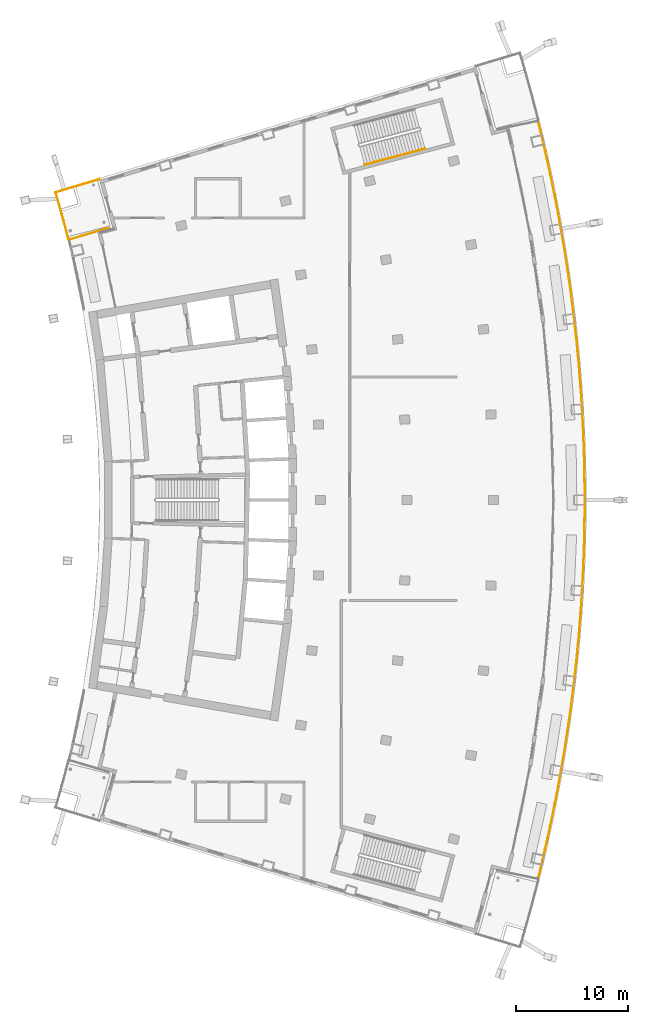
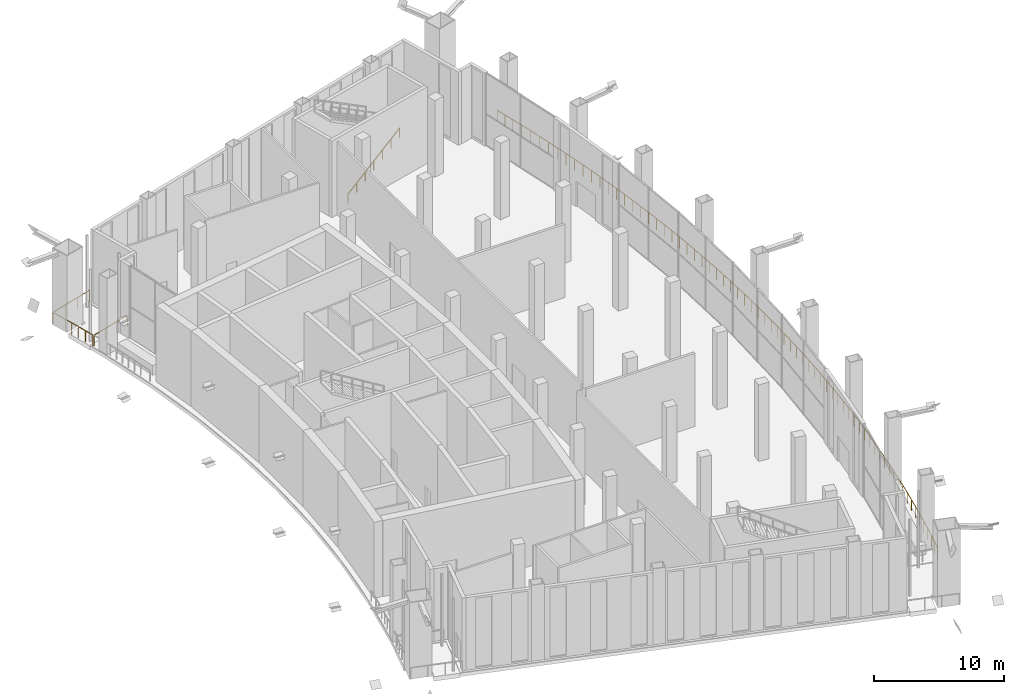
# One storey, part 24 of 26: 4 railings.
"""IFC4 building model written with IfcOpenShell, lengths in metres."""

import ifcopenshell
import ifcopenshell.guid

model = None  # the IFC model being written
_history = None  # IfcOwnerHistory: only IFC2X3 demands one
_inside = {}  # id of a spatial element -> (the spatial element, [elements in it])
_under = {}  # id of a project, library or spatial element -> (it, [spatial elements below it])
_declared = {}  # id of a project -> (the project, [libraries it declares])
_typed = {}  # id of a type object -> (the type object, [elements of that type])
_made_of = {}  # id of a material, layer set ... -> (it, [elements and type objects made of it])


def new_model(schema):
    """Start an empty IFC model of exactly this schema.

    Asked for "IFC4X3", IfcOpenShell would pick the latest addendum, in which some entities
    have other attributes; the version numbers below select the first issue.
    IFC2X3 requires an IfcOwnerHistory on every rooted entity: one is made here for all.
    """
    global model, _history
    if schema == "IFC4X3":
        model = ifcopenshell.file(schema_version=(4, 3, 0, 0))
    else:
        model = ifcopenshell.file(schema=schema)
    _inside.clear()
    _under.clear()
    _declared.clear()
    _typed.clear()
    _made_of.clear()
    _history = None
    if model.schema == "IFC2X3":
        org = make("IfcOrganization", Name="unknown")
        user = make(
            "IfcPersonAndOrganization",
            ThePerson=make("IfcPerson", FamilyName="unknown"),
            TheOrganization=org,
        )
        app = make(
            "IfcApplication",
            ApplicationDeveloper=org,
            Version="unknown",
            ApplicationFullName="unknown",
            ApplicationIdentifier="unknown",
        )
        _history = make(
            "IfcOwnerHistory",
            OwningUser=user,
            OwningApplication=app,
            ChangeAction="ADDED",
            CreationDate=0,
        )
    return model


def make(cls, **values):
    """One entity of the class cls with the attributes given. An attribute that is None is left unset."""
    return model.create_entity(
        cls, **{name: value for name, value in values.items() if value is not None}
    )


def rooted(cls, **values):
    """An entity with a GlobalId (a new one), such as an element, a storey or a relation."""
    return make(cls, GlobalId=ifcopenshell.guid.new(), OwnerHistory=_history, **values)


def si_unit(unit_type, name, prefix=None):
    """IfcSIUnit, for example si_unit("LENGTHUNIT", "METRE", prefix="MILLI")."""
    return make("IfcSIUnit", UnitType=unit_type, Prefix=prefix, Name=name)


def assignment(units):
    """IfcUnitAssignment: the units of a project."""
    return None if units is None else make("IfcUnitAssignment", Units=units)


def point(xyz):
    """IfcCartesianPoint."""
    return None if xyz is None else make("IfcCartesianPoint", Coordinates=xyz)


def direction(xyz):
    """IfcDirection."""
    return None if xyz is None else make("IfcDirection", DirectionRatios=xyz)


def frame(location, z_axis=None, x_axis=None):
    """IfcAxis2Placement3D, a coordinate frame: its origin and axes. An axis left out is left unset."""
    return make(
        "IfcAxis2Placement3D",
        Location=point(location),
        Axis=direction(z_axis),
        RefDirection=direction(x_axis),
    )


def frame_2d(location, x_axis=None):
    """IfcAxis2Placement2D, a coordinate frame in the plane: its origin and x axis."""
    return make(
        "IfcAxis2Placement2D", Location=point(location), RefDirection=direction(x_axis)
    )


def origin():
    """The frame at (0, 0, 0) with its axes left unset."""
    return frame((0.0, 0.0, 0.0))


def origin_2d():
    """The frame at (0, 0) in the plane with its x axis left unset."""
    return frame_2d((0.0, 0.0))


def place(relative_to, where):
    """IfcLocalPlacement: puts the frame where relative to a parent placement (None: the world)."""
    return make(
        "IfcLocalPlacement", PlacementRelTo=relative_to, RelativePlacement=where
    )


def context(
    kind, dimensions, precision=None, world=None, true_north=None, identifier=None
):
    """IfcGeometricRepresentationContext, for example the 3D "Model" context."""
    return make(
        "IfcGeometricRepresentationContext",
        ContextIdentifier=identifier,
        ContextType=kind,
        CoordinateSpaceDimension=dimensions,
        Precision=precision,
        WorldCoordinateSystem=world,
        TrueNorth=true_north,
    )


def subcontext(parent, identifier, kind, view, scale=None):
    """IfcGeometricRepresentationSubContext, for example "Body" below "Model"."""
    return make(
        "IfcGeometricRepresentationSubContext",
        ContextIdentifier=identifier,
        ContextType=kind,
        ParentContext=parent,
        TargetScale=scale,
        TargetView=view,
    )


def project(units=None, contexts=None):
    """IfcProject with its units and contexts."""
    return rooted(
        "IfcProject",
        Name="project",
        RepresentationContexts=contexts,
        UnitsInContext=assignment(units),
    )


def spatial(cls, under=None, at=None, **own):
    """A site, building, storey or space (cls), placed at a placement, below another one or the project."""
    s = rooted(cls, ObjectPlacement=at, **own)
    if under is not None:
        _under.setdefault(under.id(), (under, []))[1].append(s)
    return s


def profile(cls, at=None, kind="AREA", **sizes):
    """A parametric profile (cls). Its sizes go by their IFC names, for example OverallWidth=200.0."""
    return make(cls, ProfileType=kind, Position=at, **sizes)


def rectangle(**sizes):
    """IfcRectangleProfileDef."""
    return profile("IfcRectangleProfileDef", **sizes)


def extrude(swept, where, along, depth):
    """IfcExtrudedAreaSolid: the profile swept, set in the frame where, extruded along a direction by depth."""
    return make(
        "IfcExtrudedAreaSolid",
        SweptArea=swept,
        Position=where,
        ExtrudedDirection=direction(along),
        Depth=depth,
    )


def shape(context_of_items, identifier, shape_type, items):
    """IfcShapeRepresentation: the items that make up one representation, for example the "Body"."""
    return make(
        "IfcShapeRepresentation",
        ContextOfItems=context_of_items,
        RepresentationIdentifier=identifier,
        RepresentationType=shape_type,
        Items=items,
    )


def material(Name=None, Category=None):
    """IfcMaterial."""
    return make("IfcMaterial", Name=Name, Category=Category)


def made_of(thing, what):
    """Note that an element or type object is made of a material, layer set ...; save() writes the relation."""
    if what is not None:
        _made_of.setdefault(what.id(), (what, []))[1].append(thing)
    return thing


def type_object(cls, material=None, **own):
    """A type object (cls), such as IfcWallType, which elements share."""
    return made_of(rooted(cls, **own), material)


def element(
    cls,
    number,
    at=None,
    inside=None,
    cuts=None,
    type_object=None,
    material=None,
    context=None,
    identifier="Body",
    shape_type=None,
    held_by="IfcProductDefinitionShape",
    body=None,
    shapes=None,
    **own,
):
    """One element of the class cls, such as IfcWall. Its Tag is "e" and its number.

    at: its placement. inside: the storey or other place that contains it. cuts: it is an
    opening in that element (IfcRelVoidsElement). A single representation is given by context,
    identifier, shape_type and body (its items); several are given by shapes. held_by: the class
    of the entity that holds the representations. save() writes the other relations.
    """
    e = rooted(cls, Tag="e%d" % number, ObjectPlacement=at, **own)
    if body is not None:
        shapes = [shape(context, identifier, shape_type, body)]
    if shapes is not None:
        e.Representation = make(held_by, Representations=shapes)
    if inside is not None:
        _inside.setdefault(inside.id(), (inside, []))[1].append(e)
    if cuts is not None:
        rooted(
            "IfcRelVoidsElement", RelatingBuildingElement=cuts, RelatedOpeningElement=e
        )
    if type_object is not None:
        _typed.setdefault(type_object.id(), (type_object, []))[1].append(e)
    return made_of(e, material)


def aggregate(whole, parts):
    """IfcRelAggregates: a whole, such as a stair, and the parts it consists of."""
    return rooted("IfcRelAggregates", RelatingObject=whole, RelatedObjects=parts)


def save(model, path):
    """Write the relations noted so far, then the file.

    IfcRelAggregates (storeys below a building ...), IfcRelContainedInSpatialStructure (elements
    in a storey), IfcRelDefinesByType, IfcRelAssociatesMaterial and IfcRelDeclares: one each for
    every whole, place, type object, material and project.
    """
    for whole, parts in _under.values():
        aggregate(whole, parts)
    for where, things in _inside.values():
        rooted(
            "IfcRelContainedInSpatialStructure",
            RelatedElements=things,
            RelatingStructure=where,
        )
    for kind, things in _typed.values():
        rooted("IfcRelDefinesByType", RelatedObjects=things, RelatingType=kind)
    for what, things in _made_of.values():
        rooted("IfcRelAssociatesMaterial", RelatedObjects=things, RelatingMaterial=what)
    for by, libraries in _declared.values():
        rooted("IfcRelDeclares", RelatingContext=by, RelatedDefinitions=libraries)
    model.write(path)


model = new_model("IFC4")

# Units and contexts
model_context = context("Model", 3, precision=1e-05, world=origin(), true_north=direction((0.0, 1.0)))
body_context = subcontext(model_context, "Body", "Model", "MODEL_VIEW")
ifc_project = project(units=[si_unit("LENGTHUNIT", "METRE"), si_unit("AREAUNIT", "SQUARE_METRE"), si_unit("VOLUMEUNIT", "CUBIC_METRE"), si_unit("PLANEANGLEUNIT", "RADIAN"), si_unit("MASSUNIT", "GRAM", prefix="KILO")], contexts=[model_context])

# Site, building, storey
site_placement = place(None, origin())
site = spatial("IfcSite", under=ifc_project, at=site_placement, CompositionType="ELEMENT")
building_placement = place(site_placement, origin())
building = spatial("IfcBuilding", under=site, at=building_placement, Name="Alderwake Tower", CompositionType="ELEMENT")
storey_placement = place(building_placement, frame((0.0, 0.0, 182.0)))
storey = spatial("IfcBuildingStorey", under=building, at=storey_placement, Name="L45", CompositionType="ELEMENT", Elevation=182.0)

# Railings
ifc_material_1 = material(Name="Stainless steel 316 rail and posts", Category="steel")
railing_type_1 = type_object("IfcRailingType", Name="Balcony guard 1100", PredefinedType="GUARDRAIL", material=ifc_material_1)
railing_1_placement = place(storey_placement, frame((13.210693359375, 84.387451171875, 0.0)))
element("IfcRailing", 1, at=railing_1_placement, inside=storey, type_object=railing_type_1, Name="Guard terrace RN", PredefinedType="GUARDRAIL", context=body_context, shape_type="SweptSolid", body=[
    extrude(rectangle(XDim=0.048095703125, YDim=0.048095703125, at=origin_2d()), frame((0.0, 0.0, 1.076171875), z_axis=(-0.251385381433, 0.967887075026, 0.0), x_axis=(-0.967887075026, -0.251385381433, 0.0)), (0.0, 0.0, 1.0), 1.6015625),
    extrude(rectangle(XDim=0.048095703125, YDim=0.048095703125, at=origin_2d()), frame((-0.402587890625, 1.550048828125, 1.076171875), z_axis=(-0.266520638672, 0.963829211615, 0.0), x_axis=(-0.963829211615, -0.266520638672, 0.0)), (0.0, 0.0, 1.0), 1.401611328125),
    extrude(rectangle(XDim=0.048095703125, YDim=0.048095703125, at=origin_2d()), frame((-0.776123046875, 2.90087890625, 1.076171875), z_axis=(-0.280093650878, 0.959972680204, 0.0), x_axis=(-0.959972680204, -0.280093650878, 0.0)), (0.0, 0.0, 1.0), 1.30126953125),
    extrude(rectangle(XDim=0.048095703125, YDim=0.048095703125, at=origin_2d()), frame((-1.140625, 4.150146484375, 1.076171875), z_axis=(0.958066871889, 0.286544706789, 0.0), x_axis=(-0.286544706789, 0.958066871889, 0.0)), (0.0, 0.0, 1.0), 4.099853515625),
    extrude(rectangle(XDim=0.0419921875, YDim=0.0419921875, at=origin_2d()), frame((0.0, 0.0, 0.0), z_axis=(0.0, 0.0, 1.0), x_axis=(-0.251385381433, 0.967887075026, 0.0)), (0.0, 0.0, 1.0), 1.052001953125),
    extrude(rectangle(XDim=0.0419921875, YDim=0.0419921875, at=origin_2d()), frame((-0.201171875, 0.77490234375, 0.0), z_axis=(0.0, 0.0, 1.0), x_axis=(-0.251385381433, 0.967887075026, 0.0)), (0.0, 0.0, 1.0), 1.052001953125),
    extrude(rectangle(XDim=0.0419921875, YDim=0.0419921875, at=origin_2d()), frame((-0.402587890625, 1.550048828125, 0.0), z_axis=(0.0, 0.0, 1.0), x_axis=(-0.266520638672, 0.963829211615, 0.0)), (0.0, 0.0, 1.0), 1.052001953125),
    extrude(rectangle(XDim=0.0419921875, YDim=0.0419921875, at=origin_2d()), frame((-0.58935546875, 2.2255859375, 0.0), z_axis=(0.0, 0.0, 1.0), x_axis=(-0.266520638672, 0.963829211615, 0.0)), (0.0, 0.0, 1.0), 1.052001953125),
    extrude(rectangle(XDim=0.0419921875, YDim=0.0419921875, at=origin_2d()), frame((-0.776123046875, 2.90087890625, 0.0), z_axis=(0.0, 0.0, 1.0), x_axis=(-0.280093650878, 0.959972680204, 0.0)), (0.0, 0.0, 1.0), 1.052001953125),
    extrude(rectangle(XDim=0.0419921875, YDim=0.0419921875, at=origin_2d()), frame((-1.140625, 4.150146484375, 0.0), z_axis=(0.0, 0.0, 1.0), x_axis=(0.958066871889, 0.286544706789, 0.0)), (0.0, 0.0, 1.0), 1.052001953125),
    extrude(rectangle(XDim=0.0419921875, YDim=0.0419921875, at=origin_2d()), frame((0.168701171875, 4.541748046875, 0.0), z_axis=(0.0, 0.0, 1.0), x_axis=(0.958066871889, 0.286544706789, 0.0)), (0.0, 0.0, 1.0), 1.052001953125),
    extrude(rectangle(XDim=0.0419921875, YDim=0.0419921875, at=origin_2d()), frame((1.47802734375, 4.933349609375, 0.0), z_axis=(0.0, 0.0, 1.0), x_axis=(0.958066871889, 0.286544706789, 0.0)), (0.0, 0.0, 1.0), 1.052001953125),
    extrude(rectangle(XDim=0.0419921875, YDim=0.0419921875, at=origin_2d()), frame((2.787353515625, 5.324951171875, 0.0), z_axis=(0.0, 0.0, 1.0), x_axis=(0.958066871889, 0.286544706789, 0.0)), (0.0, 0.0, 1.0), 1.052001953125),
])
railing_2_placement = place(storey_placement, frame((55.259765625, 27.072021484375, 0.0)))
element("IfcRailing", 2, at=railing_2_placement, inside=storey, type_object=railing_type_1, Name="Guard garden terrace front", PredefinedType="GUARDRAIL", context=body_context, shape_type="SweptSolid", body=[
    extrude(rectangle(XDim=0.048095703125, YDim=0.048095703125, at=origin_2d()), frame((0.0, 0.0, 1.076171875), z_axis=(0.237296574462, 0.971437252605, 0.0), x_axis=(-0.971437252605, 0.237296574462, 0.0)), (0.0, 0.0, 1.0), 1.733642578125),
    extrude(rectangle(XDim=0.048095703125, YDim=0.048095703125, at=origin_2d()), frame((0.411376953125, 1.68408203125, 1.076171875), z_axis=(0.224017707366, 0.974585074166, 0.0), x_axis=(-0.974585074166, 0.224017707366, 0.0)), (0.0, 0.0, 1.0), 2.03369140625),
    extrude(rectangle(XDim=0.048095703125, YDim=0.048095703125, at=origin_2d()), frame((0.866943359375, 3.666015625, 1.076171875), z_axis=(0.209971797395, 0.977707443103, 0.0), x_axis=(-0.977707443103, 0.209971797395, 0.0)), (0.0, 0.0, 1.0), 2.03369140625),
    extrude(rectangle(XDim=0.048095703125, YDim=0.048095703125, at=origin_2d()), frame((1.2939453125, 5.654296875, 1.076171875), z_axis=(0.195562025277, 0.98069133486, 0.0), x_axis=(-0.98069133486, 0.195562025277, 0.0)), (0.0, 0.0, 1.0), 2.03369140625),
    extrude(rectangle(XDim=0.048095703125, YDim=0.048095703125, at=origin_2d()), frame((1.691650390625, 7.648681640625, 1.076171875), z_axis=(0.181272425406, 0.983432919821, 0.0), x_axis=(-0.983432919821, 0.181272425406, 0.0)), (0.0, 0.0, 1.0), 2.03369140625),
    extrude(rectangle(XDim=0.048095703125, YDim=0.048095703125, at=origin_2d()), frame((2.060302734375, 9.648681640625, 1.076171875), z_axis=(0.1670073443, 0.985955651614, 0.0), x_axis=(-0.985955651614, 0.1670073443, 0.0)), (0.0, 0.0, 1.0), 2.033447265625),
    extrude(rectangle(XDim=0.048095703125, YDim=0.048095703125, at=origin_2d()), frame((2.39990234375, 11.653564453125, 1.076171875), z_axis=(0.152454075782, 0.988310555836, 0.0), x_axis=(-0.988310555836, 0.152454075782, 0.0)), (0.0, 0.0, 1.0), 2.03369140625),
    extrude(rectangle(XDim=0.048095703125, YDim=0.048095703125, at=origin_2d()), frame((2.7099609375, 13.66357421875, 1.076171875), z_axis=(0.138059101946, 0.990423992222, 0.0), x_axis=(-0.990423992222, 0.138059101946, 0.0)), (0.0, 0.0, 1.0), 2.03369140625),
    extrude(rectangle(XDim=0.048095703125, YDim=0.048095703125, at=origin_2d()), frame((2.99072265625, 15.677734375, 1.076171875), z_axis=(0.123665300152, 0.992323986175, 0.0), x_axis=(-0.992323986175, 0.123665300152, 0.0)), (0.0, 0.0, 1.0), 2.033447265625),
    extrude(rectangle(XDim=0.048095703125, YDim=0.048095703125, at=origin_2d()), frame((3.2421875, 17.695556640625, 1.076171875), z_axis=(0.109232551869, 0.994016222007, 0.0), x_axis=(-0.994016222007, 0.109232551869, 0.0)), (0.0, 0.0, 1.0), 2.033935546875),
    extrude(rectangle(XDim=0.048095703125, YDim=0.048095703125, at=origin_2d()), frame((3.46435546875, 19.71728515625, 1.076171875), z_axis=(0.094605128176, 0.995514876696, 0.0), x_axis=(-0.995514876696, 0.094605128176, 0.0)), (0.0, 0.0, 1.0), 2.033447265625),
    extrude(rectangle(XDim=0.048095703125, YDim=0.048095703125, at=origin_2d()), frame((3.65673828125, 21.74169921875, 1.076171875), z_axis=(0.080074453392, 0.996788885328, 0.0), x_axis=(-0.996788885328, 0.080074453392, 0.0)), (0.0, 0.0, 1.0), 2.03369140625),
    extrude(rectangle(XDim=0.048095703125, YDim=0.048095703125, at=origin_2d()), frame((3.819580078125, 23.768798828125, 1.076171875), z_axis=(0.065666430699, 0.997841630661, 0.0), x_axis=(-0.997841630661, 0.065666430699, 0.0)), (0.0, 0.0, 1.0), 2.03369140625),
    extrude(rectangle(XDim=0.048095703125, YDim=0.048095703125, at=origin_2d()), frame((3.953125, 25.798095703125, 1.076171875), z_axis=(0.051027450314, 0.99869725108, 0.0), x_axis=(-0.99869725108, 0.051027450314, 0.0)), (0.0, 0.0, 1.0), 2.033447265625),
    extrude(rectangle(XDim=0.048095703125, YDim=0.048095703125, at=origin_2d()), frame((4.056884765625, 27.828857421875, 1.076171875), z_axis=(0.03637231321, 0.999338308498, 0.0), x_axis=(-0.999338308498, 0.03637231321, 0.0)), (0.0, 0.0, 1.0), 2.033935546875),
    extrude(rectangle(XDim=0.048095703125, YDim=0.048095703125, at=origin_2d()), frame((4.130859375, 29.861328125, 1.076171875), z_axis=(0.021971397112, 0.999758599717, 0.0), x_axis=(-0.999758599717, 0.021971397112, 0.0)), (0.0, 0.0, 1.0), 2.033447265625),
    extrude(rectangle(XDim=0.048095703125, YDim=0.048095703125, at=origin_2d()), frame((4.175537109375, 31.894287109375, 1.076171875), z_axis=(0.007202694312, 0.999974060261, 0.0), x_axis=(-0.999974060261, 0.007202694312, 0.0)), (0.0, 0.0, 1.0), 2.03369140625),
    extrude(rectangle(XDim=0.048095703125, YDim=0.048095703125, at=origin_2d()), frame((4.190185546875, 33.927978515625, 1.076171875), z_axis=(-0.007202694312, 0.999974060261, 0.0), x_axis=(-0.999974060261, -0.007202694312, 0.0)), (0.0, 0.0, 1.0), 2.03369140625),
    extrude(rectangle(XDim=0.048095703125, YDim=0.048095703125, at=origin_2d()), frame((4.175537109375, 35.961669921875, 1.076171875), z_axis=(-0.021971397112, 0.999758599717, 0.0), x_axis=(-0.999758599717, -0.021971397112, 0.0)), (0.0, 0.0, 1.0), 2.033447265625),
    extrude(rectangle(XDim=0.048095703125, YDim=0.048095703125, at=origin_2d()), frame((4.130859375, 37.99462890625, 1.076171875), z_axis=(-0.03637231321, 0.999338308498, 0.0), x_axis=(-0.999338308498, -0.03637231321, 0.0)), (0.0, 0.0, 1.0), 2.033935546875),
    extrude(rectangle(XDim=0.048095703125, YDim=0.048095703125, at=origin_2d()), frame((4.056884765625, 40.027099609375, 1.076171875), z_axis=(-0.051027450314, 0.99869725108, 0.0), x_axis=(-0.99869725108, -0.051027450314, 0.0)), (0.0, 0.0, 1.0), 2.033447265625),
    extrude(rectangle(XDim=0.048095703125, YDim=0.048095703125, at=origin_2d()), frame((3.953125, 42.057861328125, 1.076171875), z_axis=(-0.065666430699, 0.997841630661, 0.0), x_axis=(-0.997841630661, -0.065666430699, 0.0)), (0.0, 0.0, 1.0), 2.03369140625),
    extrude(rectangle(XDim=0.048095703125, YDim=0.048095703125, at=origin_2d()), frame((3.819580078125, 44.087158203125, 1.076171875), z_axis=(-0.080074453392, 0.996788885328, 0.0), x_axis=(-0.996788885328, -0.080074453392, 0.0)), (0.0, 0.0, 1.0), 2.03369140625),
    extrude(rectangle(XDim=0.048095703125, YDim=0.048095703125, at=origin_2d()), frame((3.65673828125, 46.1142578125, 1.076171875), z_axis=(-0.094605128176, 0.995514876696, 0.0), x_axis=(-0.995514876696, -0.094605128176, 0.0)), (0.0, 0.0, 1.0), 2.033447265625),
    extrude(rectangle(XDim=0.048095703125, YDim=0.048095703125, at=origin_2d()), frame((3.46435546875, 48.138671875, 1.076171875), z_axis=(-0.109232551869, 0.994016222007, 0.0), x_axis=(-0.994016222007, -0.109232551869, 0.0)), (0.0, 0.0, 1.0), 2.033935546875),
    extrude(rectangle(XDim=0.048095703125, YDim=0.048095703125, at=origin_2d()), frame((3.2421875, 50.160400390625, 1.076171875), z_axis=(-0.123665300152, 0.992323986175, 0.0), x_axis=(-0.992323986175, -0.123665300152, 0.0)), (0.0, 0.0, 1.0), 2.033447265625),
    extrude(rectangle(XDim=0.048095703125, YDim=0.048095703125, at=origin_2d()), frame((2.99072265625, 52.17822265625, 1.076171875), z_axis=(-0.138059101946, 0.990423992222, 0.0), x_axis=(-0.990423992222, -0.138059101946, 0.0)), (0.0, 0.0, 1.0), 2.03369140625),
    extrude(rectangle(XDim=0.048095703125, YDim=0.048095703125, at=origin_2d()), frame((2.7099609375, 54.1923828125, 1.076171875), z_axis=(-0.152454075782, 0.988310555836, 0.0), x_axis=(-0.988310555836, -0.152454075782, 0.0)), (0.0, 0.0, 1.0), 2.03369140625),
    extrude(rectangle(XDim=0.048095703125, YDim=0.048095703125, at=origin_2d()), frame((2.39990234375, 56.202392578125, 1.076171875), z_axis=(-0.1670073443, 0.985955651614, 0.0), x_axis=(-0.985955651614, -0.1670073443, 0.0)), (0.0, 0.0, 1.0), 2.033447265625),
    extrude(rectangle(XDim=0.048095703125, YDim=0.048095703125, at=origin_2d()), frame((2.060302734375, 58.207275390625, 1.076171875), z_axis=(-0.181272425406, 0.983432919821, 0.0), x_axis=(-0.983432919821, -0.181272425406, 0.0)), (0.0, 0.0, 1.0), 2.03369140625),
    extrude(rectangle(XDim=0.048095703125, YDim=0.048095703125, at=origin_2d()), frame((1.691650390625, 60.207275390625, 1.076171875), z_axis=(-0.195562025277, 0.98069133486, 0.0), x_axis=(-0.98069133486, -0.195562025277, 0.0)), (0.0, 0.0, 1.0), 2.03369140625),
    extrude(rectangle(XDim=0.048095703125, YDim=0.048095703125, at=origin_2d()), frame((1.2939453125, 62.20166015625, 1.076171875), z_axis=(-0.209971797395, 0.977707443103, 0.0), x_axis=(-0.977707443103, -0.209971797395, 0.0)), (0.0, 0.0, 1.0), 2.03369140625),
    extrude(rectangle(XDim=0.048095703125, YDim=0.048095703125, at=origin_2d()), frame((0.866943359375, 64.18994140625, 1.076171875), z_axis=(-0.224017707366, 0.974585074166, 0.0), x_axis=(-0.974585074166, -0.224017707366, 0.0)), (0.0, 0.0, 1.0), 2.03369140625),
    extrude(rectangle(XDim=0.048095703125, YDim=0.048095703125, at=origin_2d()), frame((0.411376953125, 66.171875, 1.076171875), z_axis=(-0.237296574462, 0.971437252605, 0.0), x_axis=(-0.971437252605, -0.237296574462, 0.0)), (0.0, 0.0, 1.0), 1.733642578125),
    extrude(rectangle(XDim=0.0419921875, YDim=0.0419921875, at=origin_2d()), frame((0.0, 0.0, 0.0), z_axis=(0.0, 0.0, 1.0), x_axis=(0.237296574462, 0.971437252605, 0.0)), (0.0, 0.0, 1.0), 1.052001953125),
    extrude(rectangle(XDim=0.0419921875, YDim=0.0419921875, at=origin_2d()), frame((0.20556640625, 0.842041015625, 0.0), z_axis=(0.0, 0.0, 1.0), x_axis=(0.237296574462, 0.971437252605, 0.0)), (0.0, 0.0, 1.0), 1.052001953125),
    extrude(rectangle(XDim=0.0419921875, YDim=0.0419921875, at=origin_2d()), frame((0.411376953125, 1.68408203125, 0.0), z_axis=(0.0, 0.0, 1.0), x_axis=(0.224017707366, 0.974585074166, 0.0)), (0.0, 0.0, 1.0), 1.052001953125),
    extrude(rectangle(XDim=0.0419921875, YDim=0.0419921875, at=origin_2d()), frame((0.63916015625, 2.675048828125, 0.0), z_axis=(0.0, 0.0, 1.0), x_axis=(0.224017707366, 0.974585074166, 0.0)), (0.0, 0.0, 1.0), 1.052001953125),
    extrude(rectangle(XDim=0.0419921875, YDim=0.0419921875, at=origin_2d()), frame((0.866943359375, 3.666015625, 0.0), z_axis=(0.0, 0.0, 1.0), x_axis=(0.209971797395, 0.977707443103, 0.0)), (0.0, 0.0, 1.0), 1.052001953125),
    extrude(rectangle(XDim=0.0419921875, YDim=0.0419921875, at=origin_2d()), frame((1.08056640625, 4.66015625, 0.0), z_axis=(0.0, 0.0, 1.0), x_axis=(0.209971797395, 0.977707443103, 0.0)), (0.0, 0.0, 1.0), 1.052001953125),
    extrude(rectangle(XDim=0.0419921875, YDim=0.0419921875, at=origin_2d()), frame((1.2939453125, 5.654296875, 0.0), z_axis=(0.0, 0.0, 1.0), x_axis=(0.195562025277, 0.98069133486, 0.0)), (0.0, 0.0, 1.0), 1.052001953125),
    extrude(rectangle(XDim=0.0419921875, YDim=0.0419921875, at=origin_2d()), frame((1.49267578125, 6.6513671875, 0.0), z_axis=(0.0, 0.0, 1.0), x_axis=(0.195562025277, 0.98069133486, 0.0)), (0.0, 0.0, 1.0), 1.052001953125),
    extrude(rectangle(XDim=0.0419921875, YDim=0.0419921875, at=origin_2d()), frame((1.691650390625, 7.648681640625, 0.0), z_axis=(0.0, 0.0, 1.0), x_axis=(0.181272425406, 0.983432919821, 0.0)), (0.0, 0.0, 1.0), 1.052001953125),
    extrude(rectangle(XDim=0.0419921875, YDim=0.0419921875, at=origin_2d()), frame((1.8759765625, 8.648681640625, 0.0), z_axis=(0.0, 0.0, 1.0), x_axis=(0.181272425406, 0.983432919821, 0.0)), (0.0, 0.0, 1.0), 1.052001953125),
    extrude(rectangle(XDim=0.0419921875, YDim=0.0419921875, at=origin_2d()), frame((2.060302734375, 9.648681640625, 0.0), z_axis=(0.0, 0.0, 1.0), x_axis=(0.1670073443, 0.985955651614, 0.0)), (0.0, 0.0, 1.0), 1.052001953125),
    extrude(rectangle(XDim=0.0419921875, YDim=0.0419921875, at=origin_2d()), frame((2.22998046875, 10.651123046875, 0.0), z_axis=(0.0, 0.0, 1.0), x_axis=(0.1670073443, 0.985955651614, 0.0)), (0.0, 0.0, 1.0), 1.052001953125),
    extrude(rectangle(XDim=0.0419921875, YDim=0.0419921875, at=origin_2d()), frame((2.39990234375, 11.653564453125, 0.0), z_axis=(0.0, 0.0, 1.0), x_axis=(0.152454075782, 0.988310555836, 0.0)), (0.0, 0.0, 1.0), 1.052001953125),
    extrude(rectangle(XDim=0.0419921875, YDim=0.0419921875, at=origin_2d()), frame((2.554931640625, 12.65869140625, 0.0), z_axis=(0.0, 0.0, 1.0), x_axis=(0.152454075782, 0.988310555836, 0.0)), (0.0, 0.0, 1.0), 1.052001953125),
    extrude(rectangle(XDim=0.0419921875, YDim=0.0419921875, at=origin_2d()), frame((2.7099609375, 13.66357421875, 0.0), z_axis=(0.0, 0.0, 1.0), x_axis=(0.138059101946, 0.990423992222, 0.0)), (0.0, 0.0, 1.0), 1.052001953125),
    extrude(rectangle(XDim=0.0419921875, YDim=0.0419921875, at=origin_2d()), frame((2.850341796875, 14.670654296875, 0.0), z_axis=(0.0, 0.0, 1.0), x_axis=(0.138059101946, 0.990423992222, 0.0)), (0.0, 0.0, 1.0), 1.052001953125),
    extrude(rectangle(XDim=0.0419921875, YDim=0.0419921875, at=origin_2d()), frame((2.99072265625, 15.677734375, 0.0), z_axis=(0.0, 0.0, 1.0), x_axis=(0.123665300152, 0.992323986175, 0.0)), (0.0, 0.0, 1.0), 1.052001953125),
    extrude(rectangle(XDim=0.0419921875, YDim=0.0419921875, at=origin_2d()), frame((3.116455078125, 16.6865234375, 0.0), z_axis=(0.0, 0.0, 1.0), x_axis=(0.123665300152, 0.992323986175, 0.0)), (0.0, 0.0, 1.0), 1.052001953125),
    extrude(rectangle(XDim=0.0419921875, YDim=0.0419921875, at=origin_2d()), frame((3.2421875, 17.695556640625, 0.0), z_axis=(0.0, 0.0, 1.0), x_axis=(0.109232551869, 0.994016222007, 0.0)), (0.0, 0.0, 1.0), 1.052001953125),
    extrude(rectangle(XDim=0.0419921875, YDim=0.0419921875, at=origin_2d()), frame((3.353271484375, 18.70654296875, 0.0), z_axis=(0.0, 0.0, 1.0), x_axis=(0.109232551869, 0.994016222007, 0.0)), (0.0, 0.0, 1.0), 1.052001953125),
    extrude(rectangle(XDim=0.0419921875, YDim=0.0419921875, at=origin_2d()), frame((3.46435546875, 19.71728515625, 0.0), z_axis=(0.0, 0.0, 1.0), x_axis=(0.094605128176, 0.995514876696, 0.0)), (0.0, 0.0, 1.0), 1.052001953125),
    extrude(rectangle(XDim=0.0419921875, YDim=0.0419921875, at=origin_2d()), frame((3.560546875, 20.7294921875, 0.0), z_axis=(0.0, 0.0, 1.0), x_axis=(0.094605128176, 0.995514876696, 0.0)), (0.0, 0.0, 1.0), 1.052001953125),
    extrude(rectangle(XDim=0.0419921875, YDim=0.0419921875, at=origin_2d()), frame((3.65673828125, 21.74169921875, 0.0), z_axis=(0.0, 0.0, 1.0), x_axis=(0.080074453392, 0.996788885328, 0.0)), (0.0, 0.0, 1.0), 1.052001953125),
    extrude(rectangle(XDim=0.0419921875, YDim=0.0419921875, at=origin_2d()), frame((3.73828125, 22.75537109375, 0.0), z_axis=(0.0, 0.0, 1.0), x_axis=(0.080074453392, 0.996788885328, 0.0)), (0.0, 0.0, 1.0), 1.052001953125),
    extrude(rectangle(XDim=0.0419921875, YDim=0.0419921875, at=origin_2d()), frame((3.819580078125, 23.768798828125, 0.0), z_axis=(0.0, 0.0, 1.0), x_axis=(0.065666430699, 0.997841630661, 0.0)), (0.0, 0.0, 1.0), 1.052001953125),
    extrude(rectangle(XDim=0.0419921875, YDim=0.0419921875, at=origin_2d()), frame((3.88623046875, 24.783447265625, 0.0), z_axis=(0.0, 0.0, 1.0), x_axis=(0.065666430699, 0.997841630661, 0.0)), (0.0, 0.0, 1.0), 1.052001953125),
    extrude(rectangle(XDim=0.0419921875, YDim=0.0419921875, at=origin_2d()), frame((3.953125, 25.798095703125, 0.0), z_axis=(0.0, 0.0, 1.0), x_axis=(0.051027450314, 0.99869725108, 0.0)), (0.0, 0.0, 1.0), 1.052001953125),
    extrude(rectangle(XDim=0.0419921875, YDim=0.0419921875, at=origin_2d()), frame((4.0048828125, 26.8134765625, 0.0), z_axis=(0.0, 0.0, 1.0), x_axis=(0.051027450314, 0.99869725108, 0.0)), (0.0, 0.0, 1.0), 1.052001953125),
    extrude(rectangle(XDim=0.0419921875, YDim=0.0419921875, at=origin_2d()), frame((4.056884765625, 27.828857421875, 0.0), z_axis=(0.0, 0.0, 1.0), x_axis=(0.03637231321, 0.999338308498, 0.0)), (0.0, 0.0, 1.0), 1.052001953125),
    extrude(rectangle(XDim=0.0419921875, YDim=0.0419921875, at=origin_2d()), frame((4.09375, 28.84521484375, 0.0), z_axis=(0.0, 0.0, 1.0), x_axis=(0.03637231321, 0.999338308498, 0.0)), (0.0, 0.0, 1.0), 1.052001953125),
    extrude(rectangle(XDim=0.0419921875, YDim=0.0419921875, at=origin_2d()), frame((4.130859375, 29.861328125, 0.0), z_axis=(0.0, 0.0, 1.0), x_axis=(0.021971397112, 0.999758599717, 0.0)), (0.0, 0.0, 1.0), 1.052001953125),
    extrude(rectangle(XDim=0.0419921875, YDim=0.0419921875, at=origin_2d()), frame((4.1533203125, 30.8779296875, 0.0), z_axis=(0.0, 0.0, 1.0), x_axis=(0.021971397112, 0.999758599717, 0.0)), (0.0, 0.0, 1.0), 1.052001953125),
    extrude(rectangle(XDim=0.0419921875, YDim=0.0419921875, at=origin_2d()), frame((4.175537109375, 31.894287109375, 0.0), z_axis=(0.0, 0.0, 1.0), x_axis=(0.007202694312, 0.999974060261, 0.0)), (0.0, 0.0, 1.0), 1.052001953125),
    extrude(rectangle(XDim=0.0419921875, YDim=0.0419921875, at=origin_2d()), frame((4.182861328125, 32.9111328125, 0.0), z_axis=(0.0, 0.0, 1.0), x_axis=(0.007202694312, 0.999974060261, 0.0)), (0.0, 0.0, 1.0), 1.052001953125),
    extrude(rectangle(XDim=0.0419921875, YDim=0.0419921875, at=origin_2d()), frame((4.190185546875, 33.927978515625, 0.0), z_axis=(0.0, 0.0, 1.0), x_axis=(-0.007202694312, 0.999974060261, 0.0)), (0.0, 0.0, 1.0), 1.052001953125),
    extrude(rectangle(XDim=0.0419921875, YDim=0.0419921875, at=origin_2d()), frame((4.182861328125, 34.94482421875, 0.0), z_axis=(0.0, 0.0, 1.0), x_axis=(-0.007202694312, 0.999974060261, 0.0)), (0.0, 0.0, 1.0), 1.052001953125),
    extrude(rectangle(XDim=0.0419921875, YDim=0.0419921875, at=origin_2d()), frame((4.175537109375, 35.961669921875, 0.0), z_axis=(0.0, 0.0, 1.0), x_axis=(-0.021971397112, 0.999758599717, 0.0)), (0.0, 0.0, 1.0), 1.052001953125),
    extrude(rectangle(XDim=0.0419921875, YDim=0.0419921875, at=origin_2d()), frame((4.1533203125, 36.97802734375, 0.0), z_axis=(0.0, 0.0, 1.0), x_axis=(-0.021971397112, 0.999758599717, 0.0)), (0.0, 0.0, 1.0), 1.052001953125),
    extrude(rectangle(XDim=0.0419921875, YDim=0.0419921875, at=origin_2d()), frame((4.130859375, 37.99462890625, 0.0), z_axis=(0.0, 0.0, 1.0), x_axis=(-0.03637231321, 0.999338308498, 0.0)), (0.0, 0.0, 1.0), 1.052001953125),
    extrude(rectangle(XDim=0.0419921875, YDim=0.0419921875, at=origin_2d()), frame((4.09375, 39.0107421875, 0.0), z_axis=(0.0, 0.0, 1.0), x_axis=(-0.03637231321, 0.999338308498, 0.0)), (0.0, 0.0, 1.0), 1.052001953125),
    extrude(rectangle(XDim=0.0419921875, YDim=0.0419921875, at=origin_2d()), frame((4.056884765625, 40.027099609375, 0.0), z_axis=(0.0, 0.0, 1.0), x_axis=(-0.051027450314, 0.99869725108, 0.0)), (0.0, 0.0, 1.0), 1.052001953125),
    extrude(rectangle(XDim=0.0419921875, YDim=0.0419921875, at=origin_2d()), frame((4.0048828125, 41.04248046875, 0.0), z_axis=(0.0, 0.0, 1.0), x_axis=(-0.051027450314, 0.99869725108, 0.0)), (0.0, 0.0, 1.0), 1.052001953125),
    extrude(rectangle(XDim=0.0419921875, YDim=0.0419921875, at=origin_2d()), frame((3.953125, 42.057861328125, 0.0), z_axis=(0.0, 0.0, 1.0), x_axis=(-0.065666430699, 0.997841630661, 0.0)), (0.0, 0.0, 1.0), 1.052001953125),
    extrude(rectangle(XDim=0.0419921875, YDim=0.0419921875, at=origin_2d()), frame((3.88623046875, 43.072509765625, 0.0), z_axis=(0.0, 0.0, 1.0), x_axis=(-0.065666430699, 0.997841630661, 0.0)), (0.0, 0.0, 1.0), 1.052001953125),
    extrude(rectangle(XDim=0.0419921875, YDim=0.0419921875, at=origin_2d()), frame((3.819580078125, 44.087158203125, 0.0), z_axis=(0.0, 0.0, 1.0), x_axis=(-0.080074453392, 0.996788885328, 0.0)), (0.0, 0.0, 1.0), 1.052001953125),
    extrude(rectangle(XDim=0.0419921875, YDim=0.0419921875, at=origin_2d()), frame((3.73828125, 45.1005859375, 0.0), z_axis=(0.0, 0.0, 1.0), x_axis=(-0.080074453392, 0.996788885328, 0.0)), (0.0, 0.0, 1.0), 1.052001953125),
    extrude(rectangle(XDim=0.0419921875, YDim=0.0419921875, at=origin_2d()), frame((3.65673828125, 46.1142578125, 0.0), z_axis=(0.0, 0.0, 1.0), x_axis=(-0.094605128176, 0.995514876696, 0.0)), (0.0, 0.0, 1.0), 1.052001953125),
    extrude(rectangle(XDim=0.0419921875, YDim=0.0419921875, at=origin_2d()), frame((3.560546875, 47.12646484375, 0.0), z_axis=(0.0, 0.0, 1.0), x_axis=(-0.094605128176, 0.995514876696, 0.0)), (0.0, 0.0, 1.0), 1.052001953125),
    extrude(rectangle(XDim=0.0419921875, YDim=0.0419921875, at=origin_2d()), frame((3.46435546875, 48.138671875, 0.0), z_axis=(0.0, 0.0, 1.0), x_axis=(-0.109232551869, 0.994016222007, 0.0)), (0.0, 0.0, 1.0), 1.052001953125),
    extrude(rectangle(XDim=0.0419921875, YDim=0.0419921875, at=origin_2d()), frame((3.353271484375, 49.1494140625, 0.0), z_axis=(0.0, 0.0, 1.0), x_axis=(-0.109232551869, 0.994016222007, 0.0)), (0.0, 0.0, 1.0), 1.052001953125),
    extrude(rectangle(XDim=0.0419921875, YDim=0.0419921875, at=origin_2d()), frame((3.2421875, 50.160400390625, 0.0), z_axis=(0.0, 0.0, 1.0), x_axis=(-0.123665300152, 0.992323986175, 0.0)), (0.0, 0.0, 1.0), 1.052001953125),
    extrude(rectangle(XDim=0.0419921875, YDim=0.0419921875, at=origin_2d()), frame((3.116455078125, 51.16943359375, 0.0), z_axis=(0.0, 0.0, 1.0), x_axis=(-0.123665300152, 0.992323986175, 0.0)), (0.0, 0.0, 1.0), 1.052001953125),
    extrude(rectangle(XDim=0.0419921875, YDim=0.0419921875, at=origin_2d()), frame((2.99072265625, 52.17822265625, 0.0), z_axis=(0.0, 0.0, 1.0), x_axis=(-0.138059101946, 0.990423992222, 0.0)), (0.0, 0.0, 1.0), 1.052001953125),
    extrude(rectangle(XDim=0.0419921875, YDim=0.0419921875, at=origin_2d()), frame((2.850341796875, 53.185302734375, 0.0), z_axis=(0.0, 0.0, 1.0), x_axis=(-0.138059101946, 0.990423992222, 0.0)), (0.0, 0.0, 1.0), 1.052001953125),
    extrude(rectangle(XDim=0.0419921875, YDim=0.0419921875, at=origin_2d()), frame((2.7099609375, 54.1923828125, 0.0), z_axis=(0.0, 0.0, 1.0), x_axis=(-0.152454075782, 0.988310555836, 0.0)), (0.0, 0.0, 1.0), 1.052001953125),
    extrude(rectangle(XDim=0.0419921875, YDim=0.0419921875, at=origin_2d()), frame((2.554931640625, 55.197265625, 0.0), z_axis=(0.0, 0.0, 1.0), x_axis=(-0.152454075782, 0.988310555836, 0.0)), (0.0, 0.0, 1.0), 1.052001953125),
    extrude(rectangle(XDim=0.0419921875, YDim=0.0419921875, at=origin_2d()), frame((2.39990234375, 56.202392578125, 0.0), z_axis=(0.0, 0.0, 1.0), x_axis=(-0.1670073443, 0.985955651614, 0.0)), (0.0, 0.0, 1.0), 1.052001953125),
    extrude(rectangle(XDim=0.0419921875, YDim=0.0419921875, at=origin_2d()), frame((2.22998046875, 57.204833984375, 0.0), z_axis=(0.0, 0.0, 1.0), x_axis=(-0.1670073443, 0.985955651614, 0.0)), (0.0, 0.0, 1.0), 1.052001953125),
    extrude(rectangle(XDim=0.0419921875, YDim=0.0419921875, at=origin_2d()), frame((2.060302734375, 58.207275390625, 0.0), z_axis=(0.0, 0.0, 1.0), x_axis=(-0.181272425406, 0.983432919821, 0.0)), (0.0, 0.0, 1.0), 1.052001953125),
    extrude(rectangle(XDim=0.0419921875, YDim=0.0419921875, at=origin_2d()), frame((1.8759765625, 59.207275390625, 0.0), z_axis=(0.0, 0.0, 1.0), x_axis=(-0.181272425406, 0.983432919821, 0.0)), (0.0, 0.0, 1.0), 1.052001953125),
    extrude(rectangle(XDim=0.0419921875, YDim=0.0419921875, at=origin_2d()), frame((1.691650390625, 60.207275390625, 0.0), z_axis=(0.0, 0.0, 1.0), x_axis=(-0.195562025277, 0.98069133486, 0.0)), (0.0, 0.0, 1.0), 1.052001953125),
    extrude(rectangle(XDim=0.0419921875, YDim=0.0419921875, at=origin_2d()), frame((1.49267578125, 61.20458984375, 0.0), z_axis=(0.0, 0.0, 1.0), x_axis=(-0.195562025277, 0.98069133486, 0.0)), (0.0, 0.0, 1.0), 1.052001953125),
    extrude(rectangle(XDim=0.0419921875, YDim=0.0419921875, at=origin_2d()), frame((1.2939453125, 62.20166015625, 0.0), z_axis=(0.0, 0.0, 1.0), x_axis=(-0.209971797395, 0.977707443103, 0.0)), (0.0, 0.0, 1.0), 1.052001953125),
    extrude(rectangle(XDim=0.0419921875, YDim=0.0419921875, at=origin_2d()), frame((1.08056640625, 63.19580078125, 0.0), z_axis=(0.0, 0.0, 1.0), x_axis=(-0.209971797395, 0.977707443103, 0.0)), (0.0, 0.0, 1.0), 1.052001953125),
    extrude(rectangle(XDim=0.0419921875, YDim=0.0419921875, at=origin_2d()), frame((0.866943359375, 64.18994140625, 0.0), z_axis=(0.0, 0.0, 1.0), x_axis=(-0.224017707366, 0.974585074166, 0.0)), (0.0, 0.0, 1.0), 1.052001953125),
    extrude(rectangle(XDim=0.0419921875, YDim=0.0419921875, at=origin_2d()), frame((0.63916015625, 65.180908203125, 0.0), z_axis=(0.0, 0.0, 1.0), x_axis=(-0.224017707366, 0.974585074166, 0.0)), (0.0, 0.0, 1.0), 1.052001953125),
    extrude(rectangle(XDim=0.0419921875, YDim=0.0419921875, at=origin_2d()), frame((0.411376953125, 66.171875, 0.0), z_axis=(0.0, 0.0, 1.0), x_axis=(-0.237296574462, 0.971437252605, 0.0)), (0.0, 0.0, 1.0), 1.052001953125),
    extrude(rectangle(XDim=0.0419921875, YDim=0.0419921875, at=origin_2d()), frame((0.20556640625, 67.013916015625, 0.0), z_axis=(0.0, 0.0, 1.0), x_axis=(-0.237296574462, 0.971437252605, 0.0)), (0.0, 0.0, 1.0), 1.052001953125),
    extrude(rectangle(XDim=0.0419921875, YDim=0.0419921875, at=origin_2d()), frame((0.0, 67.85595703125, 0.0), z_axis=(0.0, 0.0, 1.0), x_axis=(-0.237296574462, 0.971437252605, 0.0)), (0.0, 0.0, 1.0), 1.052001953125),
])
railing_3_placement = place(storey_placement, frame((13.283447265625, 84.302734375, 0.0)))
element("IfcRailing", 3, at=railing_3_placement, inside=storey, type_object=railing_type_1, Name="Guard garden terrace rear end", PredefinedType="GUARDRAIL", context=body_context, shape_type="SweptSolid", body=[
    extrude(rectangle(XDim=0.048095703125, YDim=0.048095703125, at=origin_2d()), frame((0.0, 0.0, 1.076171875), z_axis=(0.958690974733, 0.284449670355, 0.0), x_axis=(-0.284449670355, 0.958690974733, 0.0)), (0.0, 0.0, 1.0), 3.70361328125),
    extrude(rectangle(XDim=0.0419921875, YDim=0.0419921875, at=origin_2d()), frame((0.0, 0.0, 0.0), z_axis=(0.0, 0.0, 1.0), x_axis=(0.958690974733, 0.284449670355, 0.0)), (0.0, 0.0, 1.0), 1.052001953125),
    extrude(rectangle(XDim=0.0419921875, YDim=0.0419921875, at=origin_2d()), frame((1.18359375, 0.35107421875, 0.0), z_axis=(0.0, 0.0, 1.0), x_axis=(0.958690974733, 0.284449670355, 0.0)), (0.0, 0.0, 1.0), 1.052001953125),
    extrude(rectangle(XDim=0.0419921875, YDim=0.0419921875, at=origin_2d()), frame((2.366943359375, 0.702392578125, 0.0), z_axis=(0.0, 0.0, 1.0), x_axis=(0.958690974733, 0.284449670355, 0.0)), (0.0, 0.0, 1.0), 1.052001953125),
    extrude(rectangle(XDim=0.0419921875, YDim=0.0419921875, at=origin_2d()), frame((3.550537109375, 1.053466796875, 0.0), z_axis=(0.0, 0.0, 1.0), x_axis=(0.958690974733, 0.284449670355, 0.0)), (0.0, 0.0, 1.0), 1.052001953125),
])
ifc_material_2 = material(Name="Stainless steel handrail", Category="steel")
railing_type_2 = type_object("IfcRailingType", Name="Stair handrail 900", PredefinedType="HANDRAIL", material=ifc_material_2)
railing_4_placement = place(storey_placement, frame((39.731689453125, 91.002685546875, 0.17138671875)))
element("IfcRailing", 4, at=railing_4_placement, inside=storey, type_object=railing_type_2, Name="L45 ST-A stair handrail 1", PredefinedType="HANDRAIL", context=body_context, shape_type="SweptSolid", body=[
    extrude(rectangle(XDim=0.048095703125, YDim=0.048095703125, at=origin_2d()), frame((0.0, 0.0, 0.8759765625), z_axis=(0.824116327519, 0.219479299858, 0.522169623446), x_axis=(-0.257350586944, 0.966318102593, 0.0)), (0.0, 0.0, 1.0), 6.566162109375),
    extrude(rectangle(XDim=0.0419921875, YDim=0.0419921875, at=origin_2d()), frame((0.0, 0.0, 0.0), z_axis=(0.0, 0.0, 1.0), x_axis=(0.966318102593, 0.257350586944, 0.0)), (0.0, 0.0, 1.0), 0.851806640625),
    extrude(rectangle(XDim=0.0419921875, YDim=0.0419921875, at=origin_2d()), frame((0.90185546875, 0.240234375, 0.571533203125), z_axis=(0.0, 0.0, 1.0), x_axis=(0.966318102593, 0.257350586944, 0.0)), (0.0, 0.0, 1.0), 0.851806640625),
    extrude(rectangle(XDim=0.0419921875, YDim=0.0419921875, at=origin_2d()), frame((1.8037109375, 0.48046875, 1.142822265625), z_axis=(0.0, 0.0, 1.0), x_axis=(0.966318102593, 0.257350586944, 0.0)), (0.0, 0.0, 1.0), 0.851806640625),
    extrude(rectangle(XDim=0.0419921875, YDim=0.0419921875, at=origin_2d()), frame((2.70556640625, 0.720703125, 1.71435546875), z_axis=(0.0, 0.0, 1.0), x_axis=(0.966318102593, 0.257350586944, 0.0)), (0.0, 0.0, 1.0), 0.851806640625),
    extrude(rectangle(XDim=0.0419921875, YDim=0.0419921875, at=origin_2d()), frame((3.607666015625, 0.960693359375, 2.285888671875), z_axis=(0.0, 0.0, 1.0), x_axis=(0.966318102593, 0.257350586944, 0.0)), (0.0, 0.0, 1.0), 0.851806640625),
    extrude(rectangle(XDim=0.0419921875, YDim=0.0419921875, at=origin_2d()), frame((4.509521484375, 1.200927734375, 2.857177734375), z_axis=(0.0, 0.0, 1.0), x_axis=(0.966318102593, 0.257350586944, 0.0)), (0.0, 0.0, 1.0), 0.851806640625),
    extrude(rectangle(XDim=0.0419921875, YDim=0.0419921875, at=origin_2d()), frame((5.411376953125, 1.441162109375, 3.4287109375), z_axis=(0.0, 0.0, 1.0), x_axis=(0.966318102593, 0.257350586944, 0.0)), (0.0, 0.0, 1.0), 0.851806640625),
])

save(model, "model.ifc")
